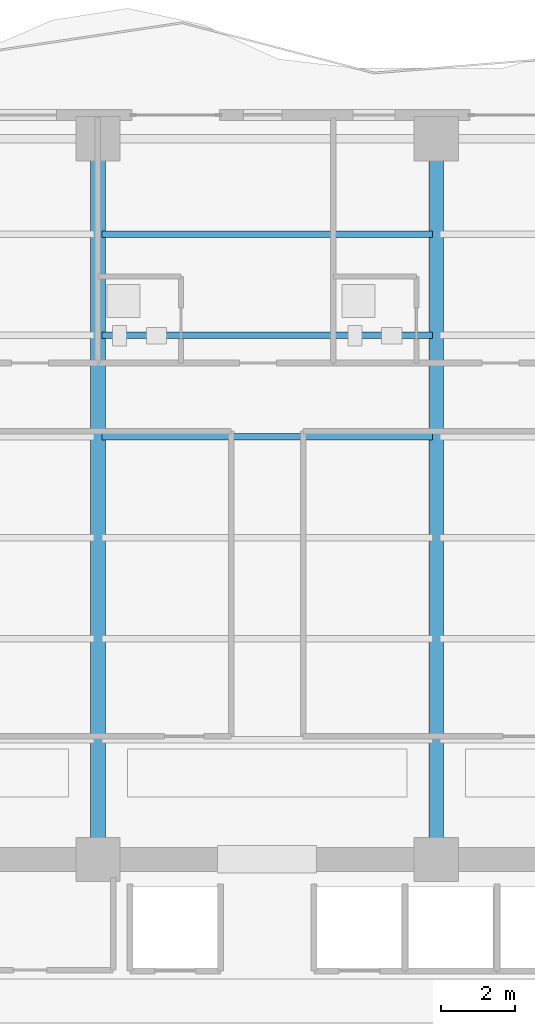
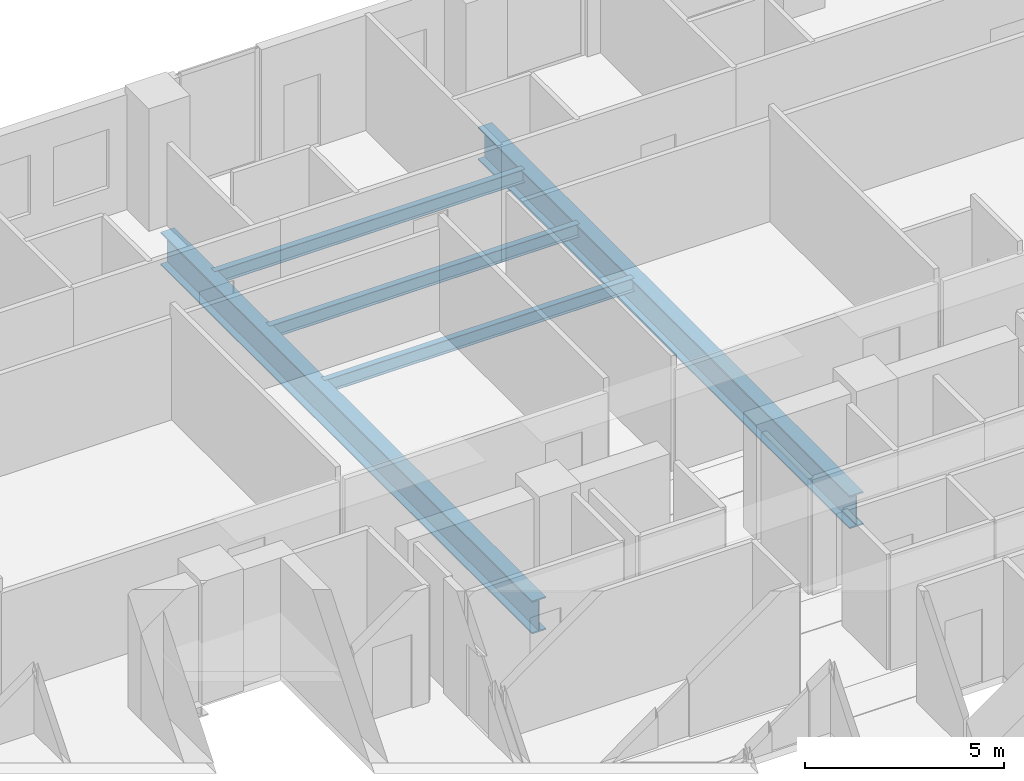
# One storey, part 18 of 32: 5 beams.
"""IFC4 building model written with IfcOpenShell, lengths in metres."""

from ifc_helpers import new_model, si_unit, direction, frame, origin, origin_2d, place, context, subcontext, project, spatial, i_section, extrude, material, material_profile, profile_set, type_object, element, save


model = new_model("IFC4")

# Units and contexts
model_context = context("Model", 3, precision=1e-05, world=origin(), true_north=direction((0.0, 1.0)))
body_context = subcontext(model_context, "Body", "Model", "MODEL_VIEW")
ifc_project = project(units=[si_unit("LENGTHUNIT", "METRE"), si_unit("AREAUNIT", "SQUARE_METRE"), si_unit("VOLUMEUNIT", "CUBIC_METRE"), si_unit("PLANEANGLEUNIT", "RADIAN"), si_unit("MASSUNIT", "GRAM", prefix="KILO")], contexts=[model_context])

# Site, building, storey
site_placement = place(None, origin())
site = spatial("IfcSite", under=ifc_project, at=site_placement, CompositionType="ELEMENT")
building_placement = place(site_placement, origin())
building = spatial("IfcBuilding", under=site, at=building_placement, Name="Zuhayl Quay Hotel", CompositionType="ELEMENT")
storey_placement = place(building_placement, frame((0.0, 0.0, 184.89990234375)))
storey = spatial("IfcBuildingStorey", under=building, at=storey_placement, Name="L46", CompositionType="ELEMENT", Elevation=184.89990234375)

# Beams
ifc_material = material(Name="Steel ASTM A992 Grade 50", Category="steel")
ifc_material_profile_1 = material_profile(ifc_material, i_section(OverallWidth=0.177978515625, OverallDepth=0.406005859375, WebThickness=0.0078125, FlangeThickness=0.0126953125, at=origin_2d()), Name="W16X40")
ifc_profile_set_1 = profile_set([ifc_material_profile_1], Name="Steel ASTM A992 Grade 50")
beam_type_1 = type_object("IfcBeamType", Name="BM_J2B_W16X40", PredefinedType="JOIST", material=ifc_profile_set_1)
for number, where, z_axis, x_axis, name in (
    (1, (-4.493896484375, 24.85009765625, -0.4228515625), (1.0, 0.0, 0.0), (0.0, 1.0, 0.0), "L46 Floor Beam FJ_L46_4_2"),
    (2, (-4.493896484375, 27.60009765625, -0.4228515625), (1.0, 0.0, 0.0), (0.0, 1.0, 0.0), "L46 Floor Beam FJ_L46_5_2"),
    (3, (-4.493896484375, 30.35009765625, -0.4228515625), (1.0, 0.0, 0.0), (0.0, 1.0, 0.0), "L46 Floor Beam FJ_L46_6_2"),
):
    element("IfcBeam", number, at=place(storey_placement, frame(where, z_axis=z_axis, x_axis=x_axis)), inside=storey, type_object=beam_type_1, Name=name, PredefinedType="JOIST", context=body_context, shape_type="SweptSolid", body=[
        extrude(i_section(OverallWidth=0.177978515625, OverallDepth=0.406005859375, WebThickness=0.0078125, FlangeThickness=0.0126953125, at=origin_2d()), origin(), (0.0, 0.0, 1.0), 8.98779296875),
    ])
ifc_material_profile_2 = material_profile(ifc_material, i_section(OverallWidth=0.40087890625, OverallDepth=1.010986328125, WebThickness=0.023681640625, FlangeThickness=0.0419921875, at=origin_2d()), Name="W40X297")
ifc_profile_set_2 = profile_set([ifc_material_profile_2], Name="Steel ASTM A992 Grade 50")
beam_type_2 = type_object("IfcBeamType", Name="BM_TG2_W40X297", PredefinedType="BEAM", material=ifc_profile_set_2)
for number, where, z_axis, x_axis, name in (
    (4, (-4.60009765625, 13.800048828125, -0.725341796875), (0.0, 1.0, 0.0), (-1.0, 0.0, 0.0), "L46 Floor Beam FG_N_L46_2"),
    (5, (4.60009765625, 13.800048828125, -0.725341796875), (0.0, 1.0, 0.0), (-1.0, 0.0, 0.0), "L46 Floor Beam FG_N_L46_3"),
):
    element("IfcBeam", number, at=place(storey_placement, frame(where, z_axis=z_axis, x_axis=x_axis)), inside=storey, type_object=beam_type_2, Name=name, PredefinedType="BEAM", context=body_context, shape_type="SweptSolid", body=[
        extrude(i_section(OverallWidth=0.40087890625, OverallDepth=1.010986328125, WebThickness=0.023681640625, FlangeThickness=0.0419921875, at=origin_2d()), origin(), (0.0, 0.0, 1.0), 18.64990234375),
    ])

save(model, "model.ifc")
